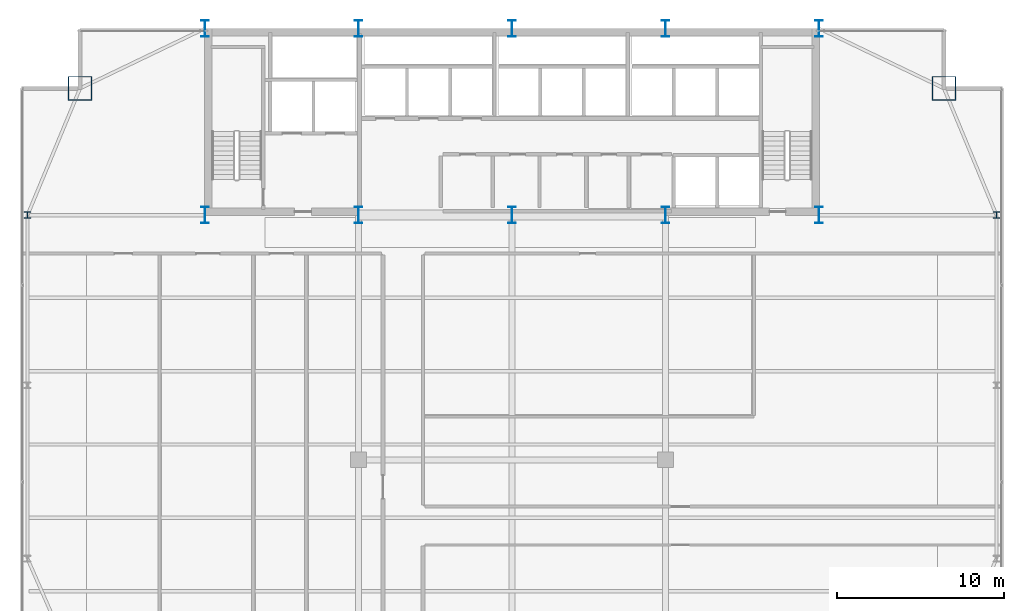
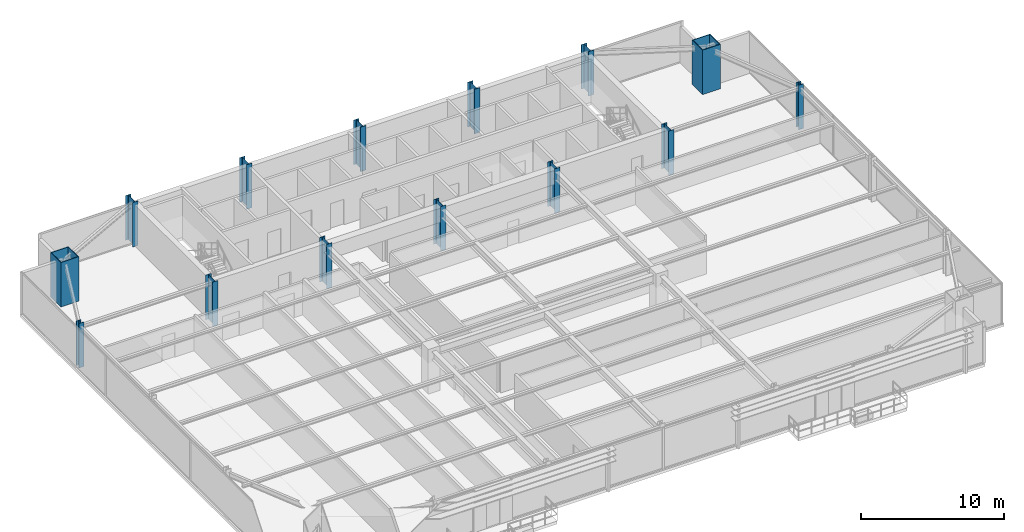
# One storey, part 2 of 31: 14 columns.
"""IFC4 building model written with IfcOpenShell, lengths in metres."""

from ifc_helpers import new_model, si_unit, direction, frame, origin, origin_2d, place, context, subcontext, project, spatial, hollow_rectangle, i_section, extrude, source, transform, mapped, material, material_profile, profile_set, type_object, type_shapes, element, save


model = new_model("IFC4")

# Units and contexts
model_context = context("Model", 3, precision=1e-05, world=origin(), true_north=direction((0.0, 1.0)))
body_context = subcontext(model_context, "Body", "Model", "MODEL_VIEW")
ifc_project = project(units=[si_unit("LENGTHUNIT", "METRE"), si_unit("AREAUNIT", "SQUARE_METRE"), si_unit("VOLUMEUNIT", "CUBIC_METRE"), si_unit("PLANEANGLEUNIT", "RADIAN"), si_unit("MASSUNIT", "GRAM", prefix="KILO")], contexts=[model_context])

# Site, building, storey
site_placement = place(None, origin())
site = spatial("IfcSite", under=ifc_project, at=site_placement, CompositionType="ELEMENT")
building_placement = place(site_placement, origin())
building = spatial("IfcBuilding", under=site, at=building_placement, Name="Varnel Quay Broadcast Tower", CompositionType="ELEMENT")
storey_placement = place(building_placement, frame((0.0, 0.0, 94.60009765625)))
storey = spatial("IfcBuildingStorey", under=building, at=storey_placement, Name="L22", CompositionType="ELEMENT", Elevation=94.60009765625)

# Columns
ifc_material_1 = material(Name="Structural Steel CSA G40.21 350WT", Category="steel")
ifc_material_profile_1 = material_profile(ifc_material_1, i_section(OverallWidth=0.449951171875, OverallDepth=1.0, WebThickness=0.01611328125, FlangeThickness=0.030029296875, FilletRadius=0.01611328125, at=origin_2d()), Name="WWF1000X362")
ifc_profile_set_1 = profile_set([ifc_material_profile_1], Name="Structural Steel CSA G40.21 350WT")
column_type_1 = type_object("IfcColumnType", Name="Col_WWF1000X362", PredefinedType="COLUMN", material=ifc_profile_set_1)
shared_shape_1 = source(origin(), body_context, "Body", "SweptSolid", [
    extrude(i_section(OverallWidth=0.449951171875, OverallDepth=1.0, WebThickness=0.01611328125, FlangeThickness=0.030029296875, FilletRadius=0.01611328125, at=origin_2d()), origin(), (0.0, 0.0, 1.0), 3.7998046875),
])
type_shapes(column_type_1, [shared_shape_1])
for number, where, z_axis, x_axis, name in (
    (1, (15.60009765625, 35.60009765625, 0.0), (0.0, 0.0, 1.0), (1.0, 0.0, 0.0), "L22 Column CC-S1"),
    (2, (15.60009765625, 46.800048828125, 0.0), (0.0, 0.0, 1.0), (1.0, 0.0, 0.0), "L22 Column CC-N1"),
    (3, (24.800048828125, 35.60009765625, 0.0), (0.0, 0.0, 1.0), (1.0, 0.0, 0.0), "L22 Column CC-S2"),
    (4, (24.800048828125, 46.800048828125, 0.0), (0.0, 0.0, 1.0), (1.0, 0.0, 0.0), "L22 Column CC-N2"),
    (5, (34.0, 35.60009765625, 0.0), (0.0, 0.0, 1.0), (1.0, 0.0, 0.0), "L22 Column CC-S3"),
    (6, (34.0, 46.800048828125, 0.0), (0.0, 0.0, 1.0), (1.0, 0.0, 0.0), "L22 Column CC-N3"),
    (7, (43.199951171875, 35.60009765625, 0.0), (0.0, 0.0, 1.0), (1.0, 0.0, 0.0), "L22 Column CC-S4"),
    (8, (43.199951171875, 46.800048828125, 0.0), (0.0, 0.0, 1.0), (1.0, 0.0, 0.0), "L22 Column CC-N4"),
    (9, (52.39990234375, 35.60009765625, 0.0), (0.0, 0.0, 1.0), (1.0, 0.0, 0.0), "L22 Column CC-S5"),
    (10, (52.39990234375, 46.800048828125, 0.0), (0.0, 0.0, 1.0), (1.0, 0.0, 0.0), "L22 Column CC-N5"),
):
    element("IfcColumn", number, at=place(storey_placement, frame(where, z_axis=z_axis, x_axis=x_axis)), inside=storey, type_object=column_type_1, Name=name, PredefinedType="COLUMN", context=body_context, shape_type="MappedRepresentation", body=[
        mapped(shared_shape_1, transform((0.0, 0.0, 0.0), x_axis=(1.0, 0.0, 0.0), y_axis=(0.0, 1.0, 0.0), z_axis=(0.0, 0.0, 1.0), scale=1.0)),
    ])
ifc_material_profile_2 = material_profile(ifc_material_1, hollow_rectangle(XDim=1.449951171875, YDim=1.449951171875, WallThickness=0.054931640625, at=origin_2d()), Name="BOX1450X1450X55")
ifc_profile_set_2 = profile_set([ifc_material_profile_2], Name="Structural Steel CSA G40.21 350WT")
column_type_2 = type_object("IfcColumnType", Name="Col_BOX1450X1450X55", PredefinedType="COLUMN", material=ifc_profile_set_2)
shared_shape_2 = source(origin(), body_context, "Body", "SweptSolid", [
    extrude(hollow_rectangle(XDim=1.449951171875, YDim=1.449951171875, WallThickness=0.054931640625, at=origin_2d()), origin(), (0.0, 0.0, 1.0), 3.7998046875),
])
type_shapes(column_type_2, [shared_shape_2])
for number, where, z_axis, x_axis, name in (
    (11, (59.89990234375, 43.199951171875, 0.0), (0.0, 0.0, 1.0), (1.0, 0.0, 0.0), "L22 Column MC-NE"),
    (12, (8.10009765625, 43.199951171875, 0.0), (0.0, 0.0, 1.0), (1.0, 0.0, 0.0), "L22 Column MC-NW"),
):
    element("IfcColumn", number, at=place(storey_placement, frame(where, z_axis=z_axis, x_axis=x_axis)), inside=storey, type_object=column_type_2, Name=name, PredefinedType="COLUMN", context=body_context, shape_type="MappedRepresentation", body=[
        mapped(shared_shape_2, transform((0.0, 0.0, 0.0), x_axis=(1.0, 0.0, 0.0), y_axis=(0.0, 1.0, 0.0), z_axis=(0.0, 0.0, 1.0), scale=1.0)),
    ])
ifc_material_2 = material(Name="Structural Steel CSA G40.21 350W", Category="steel")
ifc_material_profile_3 = material_profile(ifc_material_2, i_section(OverallWidth=0.39794921875, OverallDepth=0.386962890625, WebThickness=0.02099609375, FlangeThickness=0.033203125, FilletRadius=0.01806640625, at=origin_2d()), Name="W360X262")
ifc_profile_set_3 = profile_set([ifc_material_profile_3], Name="Structural Steel CSA G40.21 350W")
column_type_3 = type_object("IfcColumnType", Name="Col_W360X262", PredefinedType="COLUMN", material=ifc_profile_set_3)
shared_shape_3 = source(origin(), body_context, "Body", "SweptSolid", [
    extrude(i_section(OverallWidth=0.39794921875, OverallDepth=0.386962890625, WebThickness=0.02099609375, FlangeThickness=0.033203125, FilletRadius=0.01806640625, at=origin_2d()), origin(), (0.0, 0.0, 1.0), 3.7998046875),
])
type_shapes(column_type_3, [shared_shape_3])
for number, where, z_axis, x_axis, name in (
    (13, (4.949951171875, 35.60009765625, 0.0), (0.0, 0.0, 1.0), (1.0, 0.0, 0.0), "L22 Column TC-W3"),
    (14, (63.050048828125, 35.60009765625, 0.0), (0.0, 0.0, 1.0), (1.0, 0.0, 0.0), "L22 Column TC-E3"),
):
    element("IfcColumn", number, at=place(storey_placement, frame(where, z_axis=z_axis, x_axis=x_axis)), inside=storey, type_object=column_type_3, Name=name, PredefinedType="COLUMN", context=body_context, shape_type="MappedRepresentation", body=[
        mapped(shared_shape_3, transform((0.0, 0.0, 0.0), x_axis=(1.0, 0.0, 0.0), y_axis=(0.0, 1.0, 0.0), z_axis=(0.0, 0.0, 1.0), scale=1.0)),
    ])

save(model, "model.ifc")
